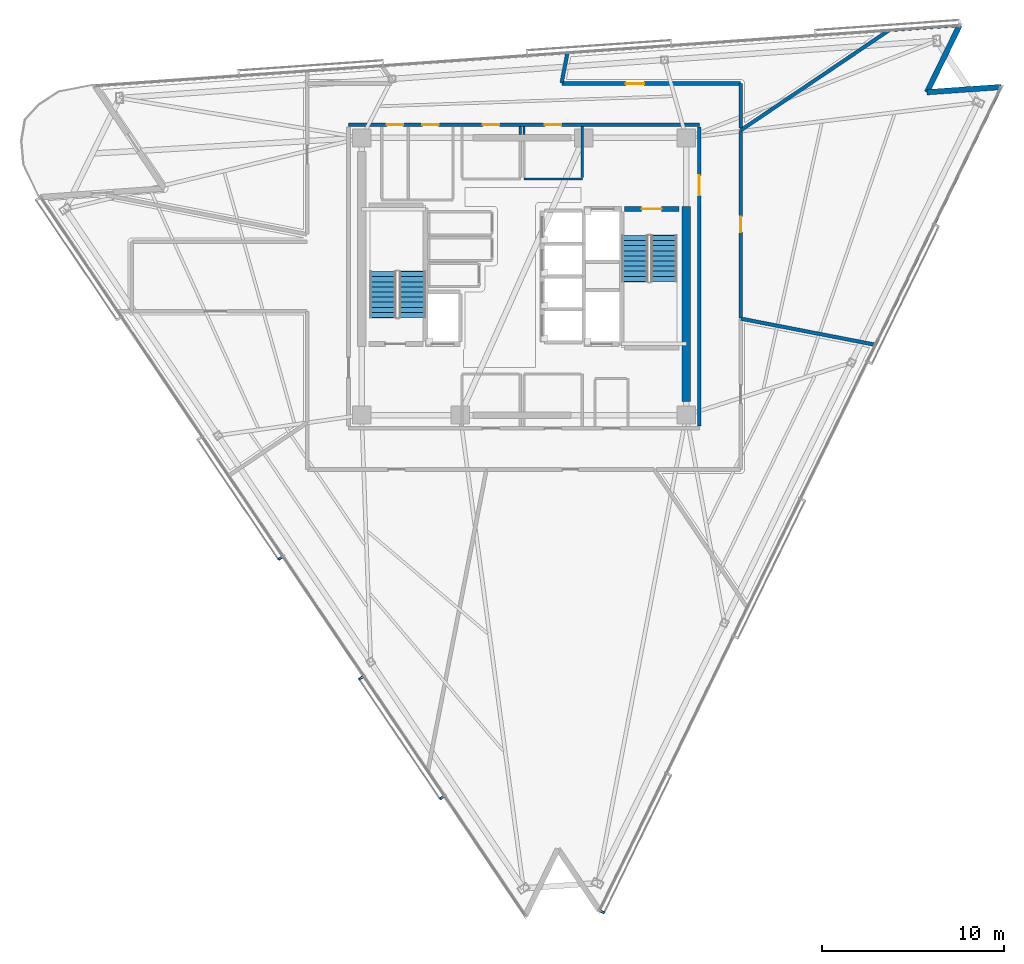
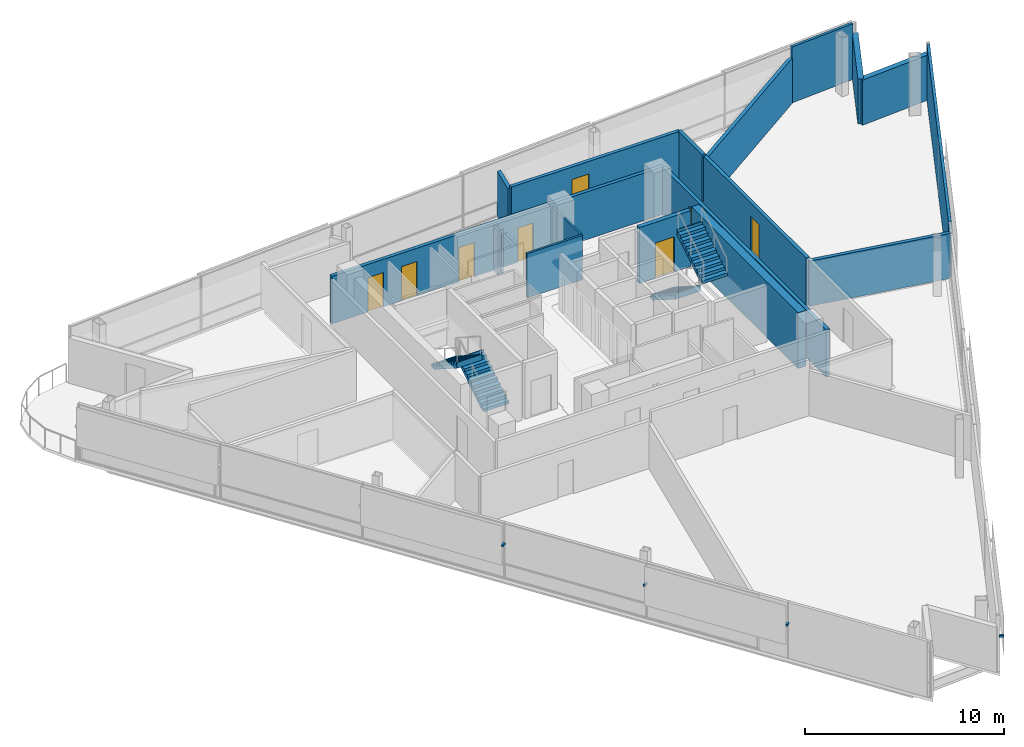
# One storey, part 11 of 16: 18 walls, 8 doors, 4 discrete accessories, 4 stair flights, 8 openings, 2 elements without a shape of their own.
"""IFC4 building model written with IfcOpenShell, lengths in metres."""

from ifc_helpers import new_model, si_unit, direction, frame, frame_2d, origin, origin_2d, place, context, subcontext, project, spatial, polyline, rectangle, outline, extrude, material, layer, layer_set, type_object, element, fill, aggregate, save


model = new_model("IFC4")

# Units and contexts
model_context = context("Model", 3, precision=1e-05, world=origin(), true_north=direction((0.0, 1.0)))
body_context = subcontext(model_context, "Body", "Model", "MODEL_VIEW")
ifc_project = project(units=[si_unit("LENGTHUNIT", "METRE"), si_unit("AREAUNIT", "SQUARE_METRE"), si_unit("VOLUMEUNIT", "CUBIC_METRE"), si_unit("PLANEANGLEUNIT", "RADIAN"), si_unit("MASSUNIT", "GRAM", prefix="KILO")], contexts=[model_context])

# Site, building, storey
site_placement = place(None, origin())
site = spatial("IfcSite", under=ifc_project, at=site_placement, CompositionType="ELEMENT")
building_placement = place(site_placement, origin())
building = spatial("IfcBuilding", under=site, at=building_placement, Name="Tharavind Bronze Gate", CompositionType="ELEMENT")
storey_placement = place(building_placement, frame((0.0, 0.0, 264.199951171875)))
storey = spatial("IfcBuildingStorey", under=building, at=storey_placement, Name="L68", CompositionType="ELEMENT", Elevation=264.199951171875)

# Walls
ifc_material_1 = material(Name="Concrete C40/50", Category="concrete")
ifc_layer_1 = layer(ifc_material_1, 0.300048828125)
ifc_layer_set_1 = layer_set([ifc_layer_1], Name="Concrete C40/50")
wall_type_1 = type_object("IfcWallType", Name="EXTERIOR SPANDREL WALL 300", PredefinedType="STANDARD", material=ifc_layer_set_1)
for number, where, z_axis, x_axis, name in (
    (1, (26.1552734375, 10.388427734375, 0.0), (0.0, 0.0, 1.0), (-0.997565400947, -0.06973715533, 0.0), "L68 notch cheek wall 3A"),
    (2, (22.09716796875, 10.104736328125, 0.0), (0.0, 0.0, 1.0), (0.438405895792, 0.898777097246, 0.0), "L68 notch cheek wall 3B"),
):
    element("IfcWall", number, at=place(storey_placement, frame(where, z_axis=z_axis, x_axis=x_axis)), inside=storey, type_object=wall_type_1, Name=name, PredefinedType="STANDARD", context=body_context, shape_type="SweptSolid", body=[
        extrude(rectangle(XDim=4.068115234375, YDim=0.300048828125, at=frame_2d((2.0341796875, 0.0))), origin(), (0.0, 0.0, 1.0), 2.76513671875),
    ])

# Wall, openings, doors
ifc_material_2 = material(Name="Aerated Concrete Block", Category="concrete")
ifc_layer_2 = layer(ifc_material_2, 0.199951171875)
ifc_layer_set_2 = layer_set([ifc_layer_2], Name="Aerated Concrete Block")
wall_type_2 = type_object("IfcWallType", Name="FIRE RATED PARTITION 200", PredefinedType="PARTITIONING", material=ifc_layer_set_2)
wall_1_placement = place(storey_placement, frame((9.6201171875, 8.320068359375, 0.0), z_axis=(0.0, 0.0, 1.0), x_axis=(-1.0, 0.0, 0.0)))
wall_1 = element("IfcWall", 3, at=wall_1_placement, inside=storey, type_object=wall_type_2, Name="L68 north core corridor wall", PredefinedType="PARTITIONING", context=body_context, shape_type="SweptSolid", body=[
    extrude(rectangle(XDim=19.240234375, YDim=0.199951171875, at=frame_2d((9.6201171875, 0.0))), origin(), (0.0, 0.0, 1.0), 2.9150390625),
])
opening_1_placement = place(wall_1_placement, frame((10.969970703125, 0.0, 0.0)))
opening_1 = element("IfcOpeningElement", 4, at=opening_1_placement, cuts=wall_1, Name="Opening ID07", PredefinedType="OPENING", context=body_context, shape_type="SweptSolid", body=[
    extrude(rectangle(XDim=0.89990234375, YDim=2.10009765625, at=frame_2d((0.449951171875, 1.050048828125))), frame((0.0, 0.11009765625, 0.0), z_axis=(0.0, -1.0, 0.0), x_axis=(1.0, 0.0, 0.0)), (0.0, 0.0, 1.0), 0.219951171875),
])
opening_2_placement = place(wall_1_placement, frame((7.570068359375, 0.0, 0.0)))
opening_2 = element("IfcOpeningElement", 5, at=opening_2_placement, cuts=wall_1, Name="Opening ID07", PredefinedType="OPENING", context=body_context, shape_type="SweptSolid", body=[
    extrude(rectangle(XDim=0.89990234375, YDim=2.10009765625, at=frame_2d((0.449951171875, 1.050048828125))), frame((0.0, 0.11009765625, 0.0), z_axis=(0.0, -1.0, 0.0), x_axis=(1.0, 0.0, 0.0)), (0.0, 0.0, 1.0), 0.219951171875),
])
opening_3_placement = place(wall_1_placement, frame((16.2451171875, 0.0, 0.0)))
opening_3 = element("IfcOpeningElement", 6, at=opening_3_placement, cuts=wall_1, Name="Opening ID07", PredefinedType="OPENING", context=body_context, shape_type="SweptSolid", body=[
    extrude(rectangle(XDim=0.89990234375, YDim=2.10009765625, at=frame_2d((0.449951171875, 1.050048828125))), frame((0.0, 0.11009765625, 0.0), z_axis=(0.0, -1.0, 0.0), x_axis=(1.0, 0.0, 0.0)), (0.0, 0.0, 1.0), 0.219951171875),
])
opening_4_placement = place(wall_1_placement, frame((14.294921875, 0.0, 0.0)))
opening_4 = element("IfcOpeningElement", 7, at=opening_4_placement, cuts=wall_1, Name="Opening ID07", PredefinedType="OPENING", context=body_context, shape_type="SweptSolid", body=[
    extrude(rectangle(XDim=0.89990234375, YDim=2.10009765625, at=frame_2d((0.449951171875, 1.050048828125))), frame((0.0, 0.11009765625, 0.0), z_axis=(0.0, -1.0, 0.0), x_axis=(1.0, 0.0, 0.0)), (0.0, 0.0, 1.0), 0.219951171875),
])
ifc_material_3 = material(Name="Galvanised Fire Steel", Category="steel")
door_type_1 = type_object("IfcDoorType", Name="PLANT AND RISER FIRE DOOR 900X2100", OperationType="SINGLE_SWING_LEFT", PredefinedType="DOOR", material=ifc_material_3)
door_1_placement = place(opening_1_placement, frame((0.89990234375, 0.0, 0.0), z_axis=(0.0, 0.0, 1.0), x_axis=(-1.0, 0.0, 0.0)))
door_1 = element("IfcDoor", 8, at=door_1_placement, inside=storey, type_object=door_type_1, Name="L68 Core Telemetry Room fire door", OperationType="SINGLE_SWING_LEFT", OverallHeight=2.10009765625, OverallWidth=0.89990234375, PredefinedType="DOOR", context=body_context, shape_type="SweptSolid", body=[
    extrude(rectangle(XDim=0.89990234375, YDim=2.10009765625, at=frame_2d((0.449951171875, 1.050048828125))), frame((0.0, 0.02490234375, 0.0), z_axis=(0.0, -1.0, 0.0), x_axis=(1.0, 0.0, 0.0)), (0.0, 0.0, 1.0), 0.050048828125),
])
fill(opening_1, door_1)
door_2_placement = place(opening_2_placement, frame((0.89990234375, 0.0, 0.0), z_axis=(0.0, 0.0, 1.0), x_axis=(-1.0, 0.0, 0.0)))
door_2 = element("IfcDoor", 9, at=door_2_placement, inside=storey, type_object=door_type_1, Name="L68 Core Battery Room fire door", OperationType="SINGLE_SWING_LEFT", OverallHeight=2.10009765625, OverallWidth=0.89990234375, PredefinedType="DOOR", context=body_context, shape_type="SweptSolid", body=[
    extrude(rectangle(XDim=0.89990234375, YDim=2.10009765625, at=frame_2d((0.449951171875, 1.050048828125))), frame((0.0, 0.02490234375, 0.0), z_axis=(0.0, -1.0, 0.0), x_axis=(1.0, 0.0, 0.0)), (0.0, 0.0, 1.0), 0.050048828125),
])
fill(opening_2, door_2)
door_3_placement = place(opening_3_placement, frame((0.89990234375, 0.0, 0.0), z_axis=(0.0, 0.0, 1.0), x_axis=(-1.0, 0.0, 0.0)))
door_3 = element("IfcDoor", 10, at=door_3_placement, inside=storey, type_object=door_type_1, Name="L68 Battery Backup Cupboard fire door", OperationType="SINGLE_SWING_LEFT", OverallHeight=2.10009765625, OverallWidth=0.89990234375, PredefinedType="DOOR", context=body_context, shape_type="SweptSolid", body=[
    extrude(rectangle(XDim=0.89990234375, YDim=2.10009765625, at=frame_2d((0.449951171875, 1.050048828125))), frame((0.0, 0.02490234375, 0.0), z_axis=(0.0, -1.0, 0.0), x_axis=(1.0, 0.0, 0.0)), (0.0, 0.0, 1.0), 0.050048828125),
])
fill(opening_3, door_3)
door_4_placement = place(opening_4_placement, frame((0.89990234375, 0.0, 0.0), z_axis=(0.0, 0.0, 1.0), x_axis=(-1.0, 0.0, 0.0)))
door_4 = element("IfcDoor", 11, at=door_4_placement, inside=storey, type_object=door_type_1, Name="L68 Cleaner Store Room fire door", OperationType="SINGLE_SWING_LEFT", OverallHeight=2.10009765625, OverallWidth=0.89990234375, PredefinedType="DOOR", context=body_context, shape_type="SweptSolid", body=[
    extrude(rectangle(XDim=0.89990234375, YDim=2.10009765625, at=frame_2d((0.449951171875, 1.050048828125))), frame((0.0, 0.02490234375, 0.0), z_axis=(0.0, -1.0, 0.0), x_axis=(1.0, 0.0, 0.0)), (0.0, 0.0, 1.0), 0.050048828125),
])
fill(opening_4, door_4)

# Wall, opening, door
wall_2_placement = place(storey_placement, frame((9.6201171875, -8.199951171875, 0.0), z_axis=(0.0, 0.0, 1.0), x_axis=(0.0, 1.0, 0.0)))
wall_2 = element("IfcWall", 12, at=wall_2_placement, inside=storey, type_object=wall_type_2, Name="L68 east core corridor wall", PredefinedType="PARTITIONING", context=body_context, shape_type="SweptSolid", body=[
    extrude(rectangle(XDim=16.39990234375, YDim=0.199951171875, at=frame_2d((8.199951171875, 0.0))), origin(), (0.0, 0.0, 1.0), 2.9150390625),
])
opening_5_placement = place(wall_2_placement, frame((12.64990234375, 0.0, 0.0)))
opening_5 = element("IfcOpeningElement", 13, at=opening_5_placement, cuts=wall_2, Name="Opening ID01", PredefinedType="OPENING", context=body_context, shape_type="SweptSolid", body=[
    extrude(rectangle(XDim=1.10009765625, YDim=2.14990234375, at=frame_2d((0.550048828125, 1.074951171875))), frame((0.0, 0.11009765625, 0.0), z_axis=(0.0, -1.0, 0.0), x_axis=(1.0, 0.0, 0.0)), (0.0, 0.0, 1.0), 0.219951171875),
])
ifc_material_4 = material(Name="Fire-Rated Steel", Category="steel")
door_type_2 = type_object("IfcDoorType", Name="STAIR CORE FIRE DOOR 1100X2150", OperationType="SINGLE_SWING_LEFT", PredefinedType="DOOR", material=ifc_material_4)
door_5_placement = place(opening_5_placement, frame((1.10009765625, 0.0, 0.0), z_axis=(0.0, 0.0, 1.0), x_axis=(-1.0, 0.0, 0.0)))
door_5 = element("IfcDoor", 14, at=door_5_placement, inside=storey, type_object=door_type_2, Name="L68 north east stair lobby fire door", OperationType="SINGLE_SWING_LEFT", OverallHeight=2.14990234375, OverallWidth=1.10009765625, PredefinedType="DOOR", context=body_context, shape_type="SweptSolid", body=[
    extrude(rectangle(XDim=1.10009765625, YDim=2.14990234375, at=frame_2d((0.550048828125, 1.074951171875))), frame((0.0, 0.02490234375, 0.0), z_axis=(0.0, -1.0, 0.0), x_axis=(1.0, 0.0, 0.0)), (0.0, 0.0, 1.0), 0.050048828125),
])
fill(opening_5, door_5)

# Wall
wall_3_placement = place(storey_placement, frame((19.243408203125, -3.740478515625, 0.0), z_axis=(0.0, 0.0, 1.0), x_axis=(-0.98163067335, 0.190791040508, 0.0)))
element("IfcWall", 15, at=wall_3_placement, inside=storey, type_object=wall_type_2, Name="L68 Public Restrooms Block partition", PredefinedType="PARTITIONING", context=body_context, shape_type="SweptSolid", body=[
    extrude(rectangle(XDim=7.480712890625, YDim=0.199951171875, at=frame_2d((3.740234375, 0.0))), origin(), (0.0, 0.0, 1.0), 2.76513671875),
])

# Wall, opening, door
wall_4_placement = place(storey_placement, frame((11.8798828125, -2.28857421875, 0.0), z_axis=(0.0, 0.0, 1.0), x_axis=(0.0, 1.0, 0.0)))
wall_4 = element("IfcWall", 16, at=wall_4_placement, inside=storey, type_object=wall_type_2, Name="L68 Public Restrooms Block partition", PredefinedType="PARTITIONING", context=body_context, shape_type="SweptSolid", body=[
    extrude(rectangle(XDim=10.28857421875, YDim=0.199951171875, at=frame_2d((5.144287109375, 0.0))), origin(), (0.0, 0.0, 1.0), 2.9150390625),
])
opening_6_placement = place(wall_4_placement, frame((4.718994140625, 0.0, 0.0)))
opening_6 = element("IfcOpeningElement", 17, at=opening_6_placement, cuts=wall_4, Name="Opening ID06", PredefinedType="OPENING", context=body_context, shape_type="SweptSolid", body=[
    extrude(rectangle(XDim=0.85009765625, YDim=2.10009765625, at=frame_2d((0.425048828125, 1.050048828125))), frame((0.0, 0.11009765625, 0.0), z_axis=(0.0, -1.0, 0.0), x_axis=(1.0, 0.0, 0.0)), (0.0, 0.0, 1.0), 0.219951171875),
])
ifc_material_5 = material(Name="Moisture-Resistant Timber", Category="wood")
door_type_3 = type_object("IfcDoorType", Name="BATHROOM PRIVACY DOOR 850X2100", OperationType="SINGLE_SWING_RIGHT", PredefinedType="DOOR", material=ifc_material_5)
door_6_placement = place(opening_6_placement, origin())
door_6 = element("IfcDoor", 18, at=door_6_placement, inside=storey, type_object=door_type_3, Name="L68 Public Restrooms Block door", OperationType="SINGLE_SWING_RIGHT", OverallHeight=2.10009765625, OverallWidth=0.85009765625, PredefinedType="DOOR", context=body_context, shape_type="SweptSolid", body=[
    extrude(rectangle(XDim=0.85009765625, YDim=2.10009765625, at=frame_2d((0.425048828125, 1.050048828125))), frame((0.0, 0.02490234375, 0.0), z_axis=(0.0, -1.0, 0.0), x_axis=(1.0, 0.0, 0.0)), (0.0, 0.0, 1.0), 0.050048828125),
])
fill(opening_6, door_6)

# Wall
wall_5_placement = place(storey_placement, frame((11.89111328125, 8.0205078125, 0.0), z_axis=(0.0, 0.0, 1.0), x_axis=(0.829032808976, 0.559199965702, 0.0)))
element("IfcWall", 19, at=wall_5_placement, inside=storey, type_object=wall_type_2, Name="L68 Public Restrooms Block partition", PredefinedType="PARTITIONING", context=body_context, shape_type="SweptSolid", body=[
    extrude(rectangle(XDim=9.7734375, YDim=0.199951171875, at=frame_2d((4.88671875, 0.0))), origin(), (0.0, 0.0, 1.0), 2.76513671875),
])

# Wall, opening, door
wall_6_placement = place(storey_placement, frame((11.87939453125, 10.580078125, 0.0), z_axis=(0.0, 0.0, 1.0), x_axis=(-1.0, 0.0, 0.0)))
wall_6 = element("IfcWall", 20, at=wall_6_placement, inside=storey, type_object=wall_type_2, Name="L68 Architecture Open Office partition", PredefinedType="PARTITIONING", context=body_context, shape_type="SweptSolid", body=[
    extrude(rectangle(XDim=9.79248046875, YDim=0.199951171875, at=frame_2d((4.896240234375, 0.0))), origin(), (0.0, 0.0, 1.0), 2.9150390625),
])
opening_7_placement = place(wall_6_placement, frame((5.2958984375, 0.0, 0.0)))
opening_7 = element("IfcOpeningElement", 21, at=opening_7_placement, cuts=wall_6, Name="Opening ID04", PredefinedType="OPENING", context=body_context, shape_type="SweptSolid", body=[
    extrude(rectangle(XDim=1.0, YDim=2.14990234375, at=frame_2d((0.5, 1.074951171875))), frame((0.0, 0.11009765625, 0.0), z_axis=(0.0, -1.0, 0.0), x_axis=(1.0, 0.0, 0.0)), (0.0, 0.0, 1.0), 0.219951171875),
])
ifc_material_6 = material(Name="Bronze Framed Acoustic Timber", Category="wood")
door_type_4 = type_object("IfcDoorType", Name="OFFICE TENANCY DOOR 1000X2150", OperationType="SINGLE_SWING_RIGHT", PredefinedType="DOOR", material=ifc_material_6)
door_7_placement = place(opening_7_placement, origin())
door_7 = element("IfcDoor", 22, at=door_7_placement, inside=storey, type_object=door_type_4, Name="L68 Architecture Open Office door", OperationType="SINGLE_SWING_RIGHT", OverallHeight=2.14990234375, OverallWidth=1.0, PredefinedType="DOOR", context=body_context, shape_type="SweptSolid", body=[
    extrude(rectangle(XDim=1.0, YDim=2.14990234375, at=frame_2d((0.5, 1.074951171875))), frame((0.0, 0.02490234375, 0.0), z_axis=(0.0, -1.0, 0.0), x_axis=(1.0, 0.0, 0.0)), (0.0, 0.0, 1.0), 0.050048828125),
])
fill(opening_7, door_7)

# Walls
wall_7_placement = place(storey_placement, frame((2.062255859375, 10.60986328125, 0.0), z_axis=(0.0, 0.0, 1.0), x_axis=(0.190794848405, 0.981629933235, 0.0)))
element("IfcWall", 23, at=wall_7_placement, inside=storey, type_object=wall_type_2, Name="L68 Architecture Open Office partition", PredefinedType="PARTITIONING", context=body_context, shape_type="SweptSolid", body=[
    extrude(rectangle(XDim=1.65966796875, YDim=0.199951171875, at=frame_2d((0.829833984375, 0.0))), origin(), (0.0, 0.0, 1.0), 2.76513671875),
])
wall_8_placement = place(storey_placement, frame((11.8798828125, 8.139892578125, 0.0), z_axis=(0.0, 0.0, 1.0), x_axis=(0.0, 1.0, 0.0)))
element("IfcWall", 24, at=wall_8_placement, inside=storey, type_object=wall_type_2, Name="L68 Architecture Open Office partition", PredefinedType="PARTITIONING", context=body_context, shape_type="SweptSolid", body=[
    extrude(rectangle(XDim=2.439453125, YDim=0.199951171875, at=frame_2d((1.2197265625, 0.0))), origin(), (0.0, 0.0, 1.0), 2.9150390625),
])
ifc_material_7 = material(Name="Metal Stud Gypsum Partition", Category="gypsum")
ifc_layer_3 = layer(ifc_material_7, 0.1201171875)
ifc_layer_set_3 = layer_set([ifc_layer_3], Name="Metal Stud Gypsum Partition")
wall_type_3 = type_object("IfcWallType", Name="INTERIOR PARTITION WALL 120", PredefinedType="PARTITIONING", material=ifc_layer_set_3)
wall_9_placement = place(storey_placement, frame((-0.199951171875, 7.780029296875, 0.0), z_axis=(0.0, 0.0, 1.0), x_axis=(0.0, 1.0, 0.0)))
element("IfcWall", 25, at=wall_9_placement, inside=storey, type_object=wall_type_3, Name="L68 Core Telemetry Room partition 2", PredefinedType="PARTITIONING", context=body_context, shape_type="SweptSolid", body=[
    extrude(rectangle(XDim=0.43505859375, YDim=0.1201171875, at=frame_2d((0.217529296875, 0.0))), origin(), (0.0, 0.0, 1.0), 2.715087890625),
])
wall_10_placement = place(storey_placement, frame((0.0, 5.35009765625, 0.0), z_axis=(0.0, 0.0, 1.0), x_axis=(1.0, 0.0, 0.0)))
element("IfcWall", 26, at=wall_10_placement, inside=storey, type_object=wall_type_3, Name="L68 Core Battery Room partition 1", PredefinedType="PARTITIONING", context=body_context, shape_type="SweptSolid", body=[
    extrude(rectangle(XDim=3.199951171875, YDim=0.1201171875, at=frame_2d((1.60009765625, 0.0))), origin(), (0.0, 0.0, 1.0), 2.715087890625),
])
wall_11_placement = place(storey_placement, frame((3.199951171875, 5.4150390625, 0.0), z_axis=(0.0, 0.0, 1.0), x_axis=(0.0, 1.0, 0.0)))
element("IfcWall", 27, at=wall_11_placement, inside=storey, type_object=wall_type_3, Name="L68 Core Battery Room partition 2", PredefinedType="PARTITIONING", context=body_context, shape_type="SweptSolid", body=[
    extrude(rectangle(XDim=2.800048828125, YDim=0.1201171875, at=frame_2d((1.39990234375, 0.0))), origin(), (0.0, 0.0, 1.0), 2.715087890625),
])
wall_12_placement = place(storey_placement, frame((0.0, 8.215087890625, 0.0), z_axis=(0.0, 0.0, 1.0), x_axis=(0.0, -1.0, 0.0)))
element("IfcWall", 28, at=wall_12_placement, inside=storey, type_object=wall_type_3, Name="L68 Core Battery Room partition 4", PredefinedType="PARTITIONING", context=body_context, shape_type="SweptSolid", body=[
    extrude(rectangle(XDim=0.43505859375, YDim=0.1201171875, at=frame_2d((0.217529296875, 0.0))), origin(), (0.0, 0.0, 1.0), 2.715087890625),
])
ifc_material_8 = material(Name="Twin Stud Acoustic Gypsum", Category="gypsum")
ifc_layer_4 = layer(ifc_material_8, 0.14990234375)
ifc_layer_set_4 = layer_set([ifc_layer_4], Name="Twin Stud Acoustic Gypsum")
wall_type_4 = type_object("IfcWallType", Name="INTERIOR PARTITION WALL 150", PredefinedType="PARTITIONING", material=ifc_layer_set_4)
wall_13_placement = place(storey_placement, frame((26.076904296875, 10.2275390625, 0.0), z_axis=(0.0, 0.0, 1.0), x_axis=(-0.438373442237, -0.898792926731, 0.0)))
element("IfcWall", 29, at=wall_13_placement, inside=storey, type_object=wall_type_4, Name="L68 Public Restrooms Block partition", PredefinedType="PARTITIONING", context=body_context, shape_type="SweptSolid", body=[
    extrude(rectangle(XDim=15.52587890625, YDim=0.14990234375, at=frame_2d((7.762939453125, 0.0))), origin(), (0.0, 0.0, 1.0), 3.420166015625),
])
wall_14_placement = place(storey_placement, frame((20.006103515625, 13.490234375, 0.0), z_axis=(0.0, 0.0, 1.0), x_axis=(0.997566581232, 0.069720269715, 0.0)))
element("IfcWall", 30, at=wall_14_placement, inside=storey, type_object=wall_type_4, Name="L68 Public Restrooms Block partition", PredefinedType="PARTITIONING", context=body_context, shape_type="SweptSolid", body=[
    extrude(rectangle(XDim=3.704833984375, YDim=0.14990234375, at=frame_2d((1.8525390625, 0.0))), origin(), (0.0, 0.0, 1.0), 3.420166015625),
])

# Wall, opening, door
ifc_material_9 = material(Name="Concrete C50/60", Category="concrete")
ifc_layer_5 = layer(ifc_material_9, 0.25)
ifc_layer_set_5 = layer_set([ifc_layer_5], Name="Concrete C50/60")
wall_type_5 = type_object("IfcWallType", Name="RC CORE SHEAR WALL 250", PredefinedType="SHEAR", material=ifc_layer_set_5)
wall_15_placement = place(storey_placement, frame((5.5, 3.699951171875, 0.0), z_axis=(0.0, 0.0, 1.0), x_axis=(1.0, 0.0, 0.0)))
wall_15 = element("IfcWall", 31, at=wall_15_placement, inside=storey, type_object=wall_type_5, Name="L68 ST2 shaft north wall", PredefinedType="SHEAR", context=body_context, shape_type="SweptSolid", body=[
    extrude(rectangle(XDim=3.0, YDim=0.25, at=frame_2d((1.5, 0.0))), origin(), (0.0, 0.0, 1.0), 3.420166015625),
])
opening_8_placement = place(wall_15_placement, frame((0.949951171875, 0.0, 0.0)))
opening_8 = element("IfcOpeningElement", 32, at=opening_8_placement, cuts=wall_15, Name="Opening ID01", PredefinedType="OPENING", context=body_context, shape_type="SweptSolid", body=[
    extrude(rectangle(XDim=1.10009765625, YDim=2.14990234375, at=frame_2d((0.550048828125, 1.074951171875))), frame((0.0, 0.135, 0.0), z_axis=(0.0, -1.0, 0.0), x_axis=(1.0, 0.0, 0.0)), (0.0, 0.0, 1.0), 0.27),
])
door_8_placement = place(opening_8_placement, frame((1.10009765625, 0.0, 0.0), z_axis=(0.0, 0.0, 1.0), x_axis=(-1.0, 0.0, 0.0)))
door_8 = element("IfcDoor", 33, at=door_8_placement, inside=storey, type_object=door_type_2, Name="L68 exit stair ST2 fire door", OperationType="SINGLE_SWING_LEFT", OverallHeight=2.14990234375, OverallWidth=1.10009765625, PredefinedType="DOOR", context=body_context, shape_type="SweptSolid", body=[
    extrude(rectangle(XDim=1.10009765625, YDim=2.14990234375, at=frame_2d((0.550048828125, 1.074951171875))), frame((0.0, 0.02490234375, 0.0), z_axis=(0.0, -1.0, 0.0), x_axis=(1.0, 0.0, 0.0)), (0.0, 0.0, 1.0), 0.050048828125),
])
fill(opening_8, door_8)

# Wall
ifc_material_10 = material(Name="Concrete C60/75", Category="concrete")
ifc_layer_6 = layer(ifc_material_10, 0.449951171875)
ifc_layer_set_6 = layer_set([ifc_layer_6], Name="Concrete C60/75")
wall_type_6 = type_object("IfcWallType", Name="RC CORE SHEAR WALL 450", PredefinedType="SHEAR", material=ifc_layer_set_6)
wall_16_placement = place(storey_placement, frame((8.89990234375, -6.85009765625, 0.0), z_axis=(0.0, 0.0, 1.0), x_axis=(0.0, 1.0, 0.0)))
element("IfcWall", 34, at=wall_16_placement, inside=storey, type_object=wall_type_6, Name="L68 east core shear wall", PredefinedType="SHEAR", context=body_context, shape_type="SweptSolid", body=[
    extrude(rectangle(XDim=10.7001953125, YDim=0.449951171875, at=frame_2d((5.35009765625, 0.0))), origin(), (0.0, 0.0, 1.0), 3.420166015625),
])

# Stair, stair flights
stair_type = type_object("IfcStairType", Name="CORE HALF TURN STAIR 1450", PredefinedType="HALF_TURN_STAIR", material=ifc_material_1)
stair_1_placement = place(storey_placement, origin())
stair_1 = element("IfcStair", 35, at=stair_1_placement, inside=storey, type_object=stair_type, Name="L68 Protected Exit Stair ST1", PredefinedType="HALF_TURN_STAIR")
stair_flight_type = type_object("IfcStairFlightType", Name="CORE STAIR FLIGHT 1450", PredefinedType="STRAIGHT", material=ifc_material_1)
stair_flight_1_placement = place(storey_placement, frame((-6.125, -2.25, 0.0), z_axis=(0.0, 0.0, 1.0), x_axis=(0.0, 1.0, 0.0)))
stair_flight_1 = element("IfcStairFlight", 36, at=stair_flight_1_placement, type_object=stair_flight_type, Name="ST1 flight 1", NumberOfRisers=10, NumberOfTreads=9, PredefinedType="STRAIGHT", RiserHeight=0.18, TreadLength=0.28, context=body_context, shape_type="SweptSolid", body=[
    extrude(outline(polyline([(0.0, 0.0), (0.0, 0.179931640625), (0.280029296875, 0.179931640625), (0.280029296875, 0.360107421875), (0.56005859375, 0.360107421875), (0.56005859375, 0.5400390625), (0.840087890625, 0.5400390625), (0.840087890625, 0.719970703125), (1.1201171875, 0.719970703125), (1.1201171875, 0.89990234375), (1.39990234375, 0.89990234375), (1.39990234375, 1.080078125), (1.679931640625, 1.080078125), (1.679931640625, 1.260009765625), (1.9599609375, 1.260009765625), (1.9599609375, 1.43994140625), (2.239990234375, 1.43994140625), (2.239990234375, 1.6201171875), (2.52001953125, 1.6201171875), (2.52001953125, 1.800048828125), (2.555908203125, 1.800048828125), (2.555908203125, 1.44189453125), (0.277099609375, 0.0), (0.0, 0.0)])), frame((0.0, 0.72509765625, 0.0), z_axis=(0.0, -1.0, 0.0), x_axis=(1.0, 0.0, 0.0)), (0.0, 0.0, 1.0), 1.449951171875),
])
stair_flight_2_placement = place(storey_placement, frame((-7.72509765625, 0.27001953125, 1.800048828125), z_axis=(0.0, 0.0, 1.0), x_axis=(0.0, -1.0, 0.0)))
stair_flight_2 = element("IfcStairFlight", 37, at=stair_flight_2_placement, type_object=stair_flight_type, Name="ST1 flight 2", NumberOfRisers=10, NumberOfTreads=9, PredefinedType="STRAIGHT", RiserHeight=0.18, TreadLength=0.28, context=body_context, shape_type="SweptSolid", body=[
    extrude(outline(polyline([(0.0, 0.0), (0.0, 0.179931640625), (0.280029296875, 0.179931640625), (0.280029296875, 0.360107421875), (0.56005859375, 0.360107421875), (0.56005859375, 0.5400390625), (0.840087890625, 0.5400390625), (0.840087890625, 0.719970703125), (1.1201171875, 0.719970703125), (1.1201171875, 0.89990234375), (1.39990234375, 0.89990234375), (1.39990234375, 1.080078125), (1.679931640625, 1.080078125), (1.679931640625, 1.260009765625), (1.9599609375, 1.260009765625), (1.9599609375, 1.43994140625), (2.239990234375, 1.43994140625), (2.239990234375, 1.6201171875), (2.52001953125, 1.6201171875), (2.52001953125, 1.800048828125), (2.555908203125, 1.800048828125), (2.555908203125, 1.44189453125), (0.277099609375, 0.0), (0.0, 0.0)])), frame((0.0, 0.72509765625, 0.0), z_axis=(0.0, -1.0, 0.0), x_axis=(1.0, 0.0, 0.0)), (0.0, 0.0, 1.0), 1.449951171875),
])
aggregate(stair_1, [stair_flight_1, stair_flight_2])

stair_2_placement = place(storey_placement, origin())
stair_2 = element("IfcStair", 38, at=stair_2_placement, inside=storey, type_object=stair_type, Name="L68 Protected Exit Stair ST2", PredefinedType="HALF_TURN_STAIR")
stair_flight_3_placement = place(storey_placement, frame((6.074951171875, 2.25, 0.0), z_axis=(0.0, 0.0, 1.0), x_axis=(0.0, -1.0, 0.0)))
stair_flight_3 = element("IfcStairFlight", 39, at=stair_flight_3_placement, type_object=stair_flight_type, Name="ST2 flight 1", NumberOfRisers=10, NumberOfTreads=9, PredefinedType="STRAIGHT", RiserHeight=0.18, TreadLength=0.28, context=body_context, shape_type="SweptSolid", body=[
    extrude(outline(polyline([(0.0, 0.0), (0.0, 0.179931640625), (0.280029296875, 0.179931640625), (0.280029296875, 0.360107421875), (0.56005859375, 0.360107421875), (0.56005859375, 0.5400390625), (0.840087890625, 0.5400390625), (0.840087890625, 0.719970703125), (1.1201171875, 0.719970703125), (1.1201171875, 0.89990234375), (1.39990234375, 0.89990234375), (1.39990234375, 1.080078125), (1.679931640625, 1.080078125), (1.679931640625, 1.260009765625), (1.9599609375, 1.260009765625), (1.9599609375, 1.43994140625), (2.239990234375, 1.43994140625), (2.239990234375, 1.6201171875), (2.52001953125, 1.6201171875), (2.52001953125, 1.800048828125), (2.555908203125, 1.800048828125), (2.555908203125, 1.44189453125), (0.277099609375, 0.0), (0.0, 0.0)])), frame((0.0, 0.72509765625, 0.0), z_axis=(0.0, -1.0, 0.0), x_axis=(1.0, 0.0, 0.0)), (0.0, 0.0, 1.0), 1.449951171875),
])
stair_flight_4_placement = place(storey_placement, frame((7.675048828125, -0.27001953125, 1.800048828125), z_axis=(0.0, 0.0, 1.0), x_axis=(0.0, 1.0, 0.0)))
stair_flight_4 = element("IfcStairFlight", 40, at=stair_flight_4_placement, type_object=stair_flight_type, Name="ST2 flight 2", NumberOfRisers=10, NumberOfTreads=9, PredefinedType="STRAIGHT", RiserHeight=0.18, TreadLength=0.28, context=body_context, shape_type="SweptSolid", body=[
    extrude(outline(polyline([(0.0, 0.0), (0.0, 0.179931640625), (0.280029296875, 0.179931640625), (0.280029296875, 0.360107421875), (0.56005859375, 0.360107421875), (0.56005859375, 0.5400390625), (0.840087890625, 0.5400390625), (0.840087890625, 0.719970703125), (1.1201171875, 0.719970703125), (1.1201171875, 0.89990234375), (1.39990234375, 0.89990234375), (1.39990234375, 1.080078125), (1.679931640625, 1.080078125), (1.679931640625, 1.260009765625), (1.9599609375, 1.260009765625), (1.9599609375, 1.43994140625), (2.239990234375, 1.43994140625), (2.239990234375, 1.6201171875), (2.52001953125, 1.6201171875), (2.52001953125, 1.800048828125), (2.555908203125, 1.800048828125), (2.555908203125, 1.44189453125), (0.277099609375, 0.0), (0.0, 0.0)])), frame((0.0, 0.72509765625, 0.0), z_axis=(0.0, -1.0, 0.0), x_axis=(1.0, 0.0, 0.0)), (0.0, 0.0, 1.0), 1.449951171875),
])
aggregate(stair_2, [stair_flight_3, stair_flight_4])

# Discrete accessories
ifc_material_11 = material(Name="Stainless Steel 316", Category="steel")
discrete_accessory_type = type_object("IfcDiscreteAccessoryType", Name="SOLAR SCREEN STANDOFF BRACKET", PredefinedType="BRACKET", material=ifc_material_11)
for number, where, z_axis, x_axis, name in (
    (41, (-13.3603515625, -15.447265625, 2.10009765625), (0.0, 0.0, 1.0), (0.559191456526, -0.82903854853, 0.0), "CW-L68-S1 solar screen bracket 3.2"),
    (42, (-8.931396484375, -22.013427734375, 2.10009765625), (0.0, 0.0, 1.0), (0.559191456526, -0.82903854853, 0.0), "CW-L68-S1 solar screen bracket 5.1"),
    (43, (-4.502197265625, -28.579833984375, 2.10009765625), (0.0, 0.0, 1.0), (0.559191456526, -0.82903854853, 0.0), "CW-L68-S1 solar screen bracket 5.2"),
    (44, (4.2958984375, -34.840576171875, 2.10009765625), (0.0, 0.0, 1.0), (0.43837271548, 0.898793281196, 0.0), "CW-L68-S2 solar screen bracket 1.1"),
):
    element("IfcDiscreteAccessory", number, at=place(storey_placement, frame(where, z_axis=z_axis, x_axis=x_axis)), inside=storey, type_object=discrete_accessory_type, Name=name, PredefinedType="BRACKET", context=body_context, shape_type="SweptSolid", body=[
        extrude(rectangle(XDim=0.1201171875, YDim=0.239990234375, at=origin_2d()), origin(), (0.0, 0.0, 1.0), 0.1201171875),
    ])

save(model, "model.ifc")
